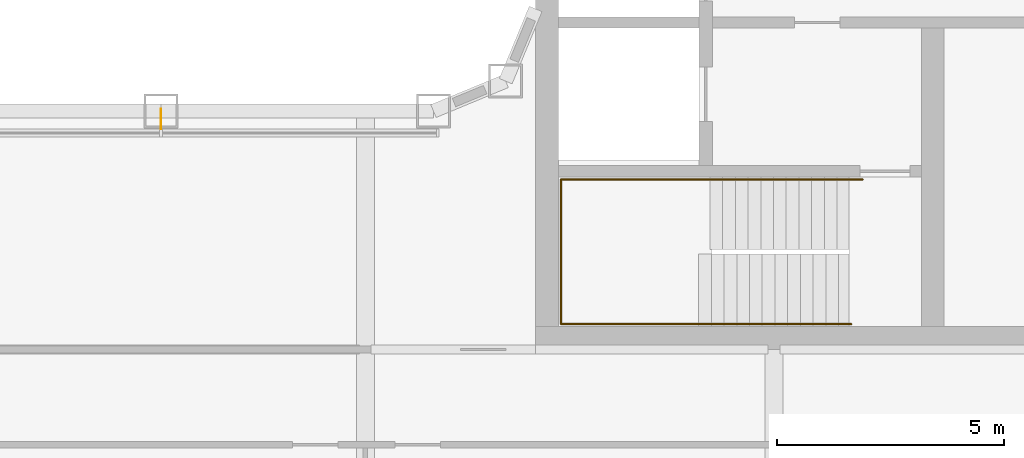
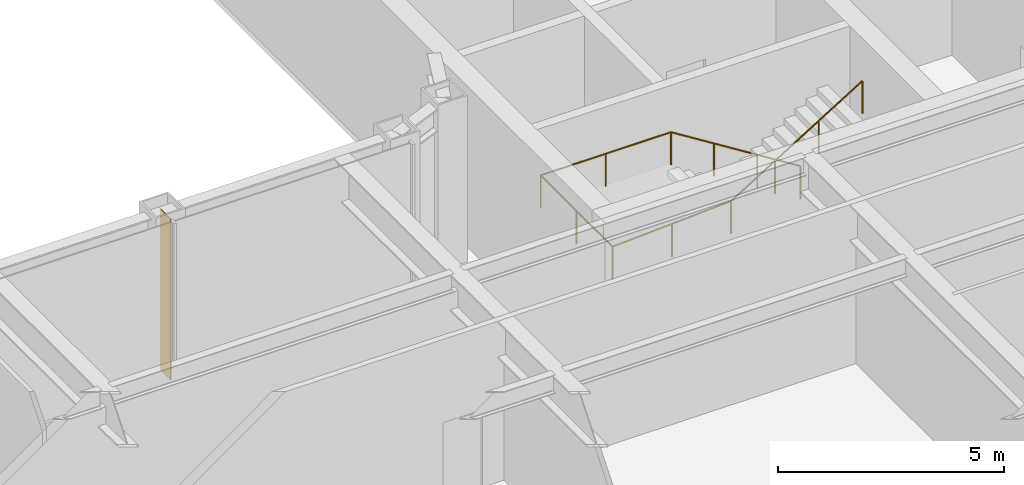
# One storey, part 22 of 25: 1 railing, 1 shading device.
"""IFC4 building model written with IfcOpenShell, lengths in metres."""

from ifc_helpers import new_model, si_unit, direction, frame, origin, origin_2d, place, context, subcontext, project, spatial, rectangle, circle, extrude, material, layer, layer_set, type_object, element, save


model = new_model("IFC4")

# Units and contexts
model_context = context("Model", 3, precision=1e-05, world=origin(), true_north=direction((0.0, 1.0)))
body_context = subcontext(model_context, "Body", "Model", "MODEL_VIEW")
ifc_project = project(units=[si_unit("LENGTHUNIT", "METRE"), si_unit("AREAUNIT", "SQUARE_METRE"), si_unit("VOLUMEUNIT", "CUBIC_METRE"), si_unit("PLANEANGLEUNIT", "RADIAN"), si_unit("MASSUNIT", "GRAM", prefix="KILO")], contexts=[model_context])

# Site, building, storey
site_placement = place(None, origin())
site = spatial("IfcSite", under=ifc_project, at=site_placement, CompositionType="ELEMENT")
building_placement = place(site_placement, origin())
building = spatial("IfcBuilding", under=site, at=building_placement, Name="Siwar Civic Tower", CompositionType="ELEMENT")
storey_placement = place(building_placement, frame((0.0, 0.0, 58.199951171875)))
storey = spatial("IfcBuildingStorey", under=building, at=storey_placement, Name="L12", CompositionType="ELEMENT", Elevation=58.199951171875)

# Railing
ifc_material_1 = material(Name="Stainless steel", Category="steel")
railing_type = type_object("IfcRailingType", Name="CORE-STAIR-HANDRAIL", PredefinedType="HANDRAIL", material=ifc_material_1)
railing_placement = place(storey_placement, frame((15.449951171875, -9.758056640625, 0.173095703125)))
element("IfcRailing", 1, at=railing_placement, inside=storey, type_object=railing_type, Name="Stair handrail ST4", PredefinedType="HANDRAIL", context=body_context, shape_type="SweptSolid", body=[
    extrude(circle(Radius=0.02001953125, at=origin_2d()), frame((0.0, 0.0, 0.8798828125), z_axis=(-0.847063342986, 0.0, 0.531491950051), x_axis=(0.0, -1.0, 0.0)), (0.0, 0.0, 1.0), 3.90771484375),
    extrude(circle(Radius=0.02001953125, at=origin_2d()), frame((-3.31005859375, 0.0, 2.956787109375), z_axis=(-1.0, 0.0, 0.0), x_axis=(0.0, -1.0, 0.0)), (0.0, 0.0, 1.0), 3.331787109375),
    extrude(circle(Radius=0.02001953125, at=origin_2d()), frame((-6.641845703125, 0.0, 2.956787109375), z_axis=(0.0, -1.0, 0.0), x_axis=(1.0, 0.0, 0.0)), (0.0, 0.0, 1.0), 3.183837890625),
    extrude(circle(Radius=0.02001953125, at=origin_2d()), frame((-6.641845703125, -3.183837890625, 2.956787109375), z_axis=(0.99837434197, 0.0, 0.056997134106), x_axis=(0.0, 1.0, 0.0)), (0.0, 0.0, 1.0), 3.036865234375),
    extrude(circle(Radius=0.02001953125, at=origin_2d()), frame((-3.60986328125, -3.183837890625, 3.1298828125), z_axis=(0.850606129759, 0.0, 0.525803396734), x_axis=(0.0, 1.0, 0.0)), (0.0, 0.0, 1.0), 3.949951171875),
    extrude(circle(Radius=0.02001953125, at=origin_2d()), origin(), (0.0, 0.0, 1.0), 0.85986328125),
    extrude(circle(Radius=0.02001953125, at=origin_2d()), frame((-1.103271484375, 0.0, 0.6923828125)), (0.0, 0.0, 1.0), 0.85986328125),
    extrude(circle(Radius=0.02001953125, at=origin_2d()), frame((-2.206787109375, 0.0, 1.384521484375)), (0.0, 0.0, 1.0), 0.85986328125),
    extrude(circle(Radius=0.02001953125, at=origin_2d()), frame((-3.31005859375, 0.0, 2.076904296875)), (0.0, 0.0, 1.0), 0.85986328125),
    extrude(circle(Radius=0.02001953125, at=origin_2d()), frame((-4.97607421875, 0.0, 2.076904296875)), (0.0, 0.0, 1.0), 0.85986328125),
    extrude(circle(Radius=0.02001953125, at=origin_2d()), frame((-6.641845703125, 0.0, 2.076904296875)), (0.0, 0.0, 1.0), 0.85986328125),
    extrude(circle(Radius=0.02001953125, at=origin_2d()), frame((-6.641845703125, -1.591796875, 2.076904296875)), (0.0, 0.0, 1.0), 0.85986328125),
    extrude(circle(Radius=0.02001953125, at=origin_2d()), frame((-6.641845703125, -3.183837890625, 2.076904296875)), (0.0, 0.0, 1.0), 0.85986328125),
    extrude(circle(Radius=0.02001953125, at=origin_2d()), frame((-5.1259765625, -3.183837890625, 2.16357421875)), (0.0, 0.0, 1.0), 0.85986328125),
    extrude(circle(Radius=0.02001953125, at=origin_2d()), frame((-3.60986328125, -3.183837890625, 2.25)), (0.0, 0.0, 1.0), 0.85986328125),
    extrude(circle(Radius=0.02001953125, at=origin_2d()), frame((-2.489990234375, -3.183837890625, 2.9423828125)), (0.0, 0.0, 1.0), 0.85986328125),
    extrude(circle(Radius=0.02001953125, at=origin_2d()), frame((-1.369873046875, -3.183837890625, 3.634521484375)), (0.0, 0.0, 1.0), 0.85986328125),
    extrude(circle(Radius=0.02001953125, at=origin_2d()), frame((-0.25, -3.183837890625, 4.326904296875)), (0.0, 0.0, 1.0), 0.85986328125),
])

# Shading device
ifc_material_2 = material(Name="Aluminium 6063-T6", Category="aluminium")
ifc_layer = layer(ifc_material_2, 0.02001953125)
ifc_layer_set = layer_set([ifc_layer], Name="Aluminium 6063-T6")
shading_device_type = type_object("IfcShadingDeviceType", Name="ENV-FIN", PredefinedType="JALOUSIE", material=ifc_layer_set)
shading_device_placement = place(storey_placement, frame((0.0, -8.419921875, 0.0), z_axis=(0.0, 0.0, 1.0), x_axis=(1.0, 0.0, 0.0)))
element("IfcShadingDevice", 2, at=shading_device_placement, inside=storey, type_object=shading_device_type, Name="SUNSHADE fin WS 1", PredefinedType="JALOUSIE", context=body_context, shape_type="SweptSolid", body=[
    extrude(rectangle(XDim=0.02001953125, YDim=0.449951171875, at=origin_2d()), origin(), (0.0, 0.0, 1.0), 4.35009765625),
])

save(model, "model.ifc")
